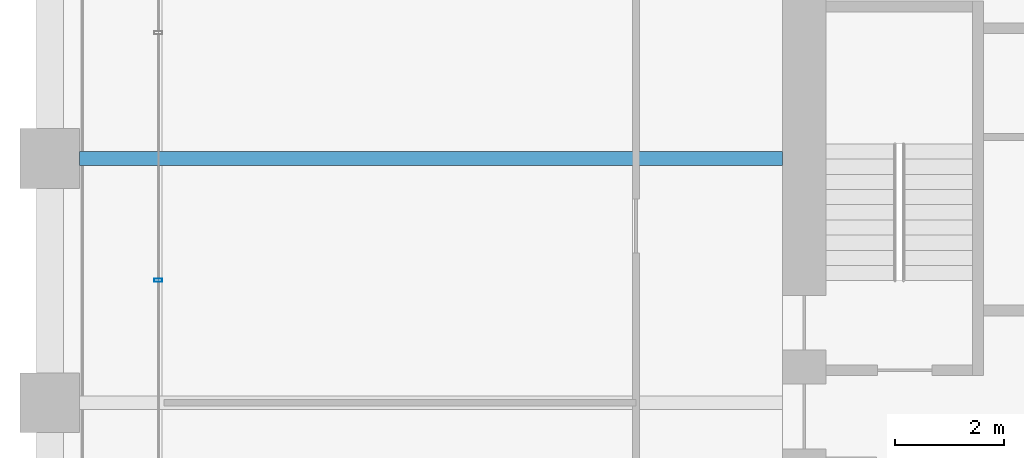
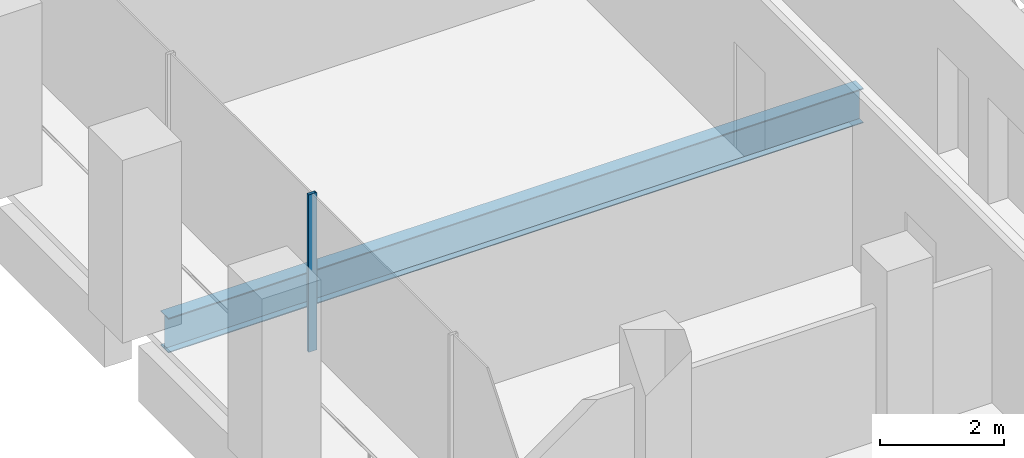
# One storey, part 11 of 56: 1 beam, 1 member, 1 element without a shape of its own.
"""IFC4 building model written with IfcOpenShell, lengths in metres."""

from ifc_helpers import new_model, si_unit, direction, frame, origin, origin_2d, place, context, subcontext, project, spatial, hollow_rectangle, i_section, extrude, material, material_profile, profile_set, type_object, element, aggregate, save


model = new_model("IFC4")

# Units and contexts
model_context = context("Model", 3, precision=1e-05, world=origin(), true_north=direction((0.0, 1.0)))
body_context = subcontext(model_context, "Body", "Model", "MODEL_VIEW")
ifc_project = project(units=[si_unit("LENGTHUNIT", "METRE"), si_unit("AREAUNIT", "SQUARE_METRE"), si_unit("VOLUMEUNIT", "CUBIC_METRE"), si_unit("PLANEANGLEUNIT", "RADIAN"), si_unit("MASSUNIT", "GRAM", prefix="KILO")], contexts=[model_context])

# Site, building, storey
site_placement = place(None, origin())
site = spatial("IfcSite", under=ifc_project, at=site_placement, CompositionType="ELEMENT")
building_placement = place(site_placement, origin())
building = spatial("IfcBuilding", under=site, at=building_placement, Name="Altepetl Exchange Towers", CompositionType="ELEMENT")
storey_placement = place(building_placement, frame((0.0, 0.0, 51.0)))
storey = spatial("IfcBuildingStorey", under=building, at=storey_placement, Name="L11", CompositionType="ELEMENT", Elevation=51.0)

# Beam
ifc_material_1 = material(Name="Steel S355", Category="steel")
ifc_material_profile_1 = material_profile(ifc_material_1, i_section(OverallWidth=0.25390625, OverallDepth=0.68408203125, WebThickness=0.012451171875, FlangeThickness=0.018798828125, at=origin_2d()), Name="W27X94")
ifc_profile_set_1 = profile_set([ifc_material_profile_1], Name="Steel S355")
beam_type = type_object("IfcBeamType", Name="Floor beam W27X94", PredefinedType="BEAM", material=ifc_profile_set_1)
beam_placement = place(storey_placement, frame((27.550048828125, 49.5, -0.491943359375), z_axis=(1.0, 0.0, 0.0), x_axis=(0.0, 1.0, 0.0)))
element("IfcBeam", 1, at=beam_placement, inside=storey, type_object=beam_type, Name="bm:A:L11:019", PredefinedType="BEAM", context=body_context, shape_type="SweptSolid", body=[
    extrude(i_section(OverallWidth=0.25390625, OverallDepth=0.68408203125, WebThickness=0.012451171875, FlangeThickness=0.018798828125, at=origin_2d()), origin(), (0.0, 0.0, 1.0), 12.949951171875),
])

# Curtain wall, member
ifc_material_2 = material(Name="Aluminium 6063-T6 glazing", Category="aluminium")
curtain_wall_type = type_object("IfcCurtainWallType", Name="Loggia glazing system", PredefinedType="NOTDEFINED", material=ifc_material_2)
curtain_wall_placement = place(storey_placement, origin())
curtain_wall = element("IfcCurtainWall", 2, at=curtain_wall_placement, inside=storey, type_object=curtain_wall_type, Name="CW1 run", PredefinedType="NOTDEFINED")
ifc_material_3 = material(Name="Aluminium 6063-T6", Category="aluminium")
ifc_material_profile_2 = material_profile(ifc_material_3, hollow_rectangle(XDim=0.06005859375, YDim=0.14990234375, WallThickness=0.0029296875, at=origin_2d()), Name="Mullion 60x150 aluminium")
ifc_profile_set_2 = profile_set([ifc_material_profile_2], Name="Aluminium 6063-T6")
member_type = type_object("IfcMemberType", Name="Mullion 60x150 aluminium", PredefinedType="MULLION", material=ifc_profile_set_2)
member_placement = place(storey_placement, frame((29.0, 47.257080078125, 0.0), z_axis=(0.0, 0.0, 1.0), x_axis=(0.0, -1.0, 0.0)))
member = element("IfcMember", 3, at=member_placement, type_object=member_type, Name="MU1 mullion", PredefinedType="MULLION", context=body_context, shape_type="SweptSolid", body=[
    extrude(hollow_rectangle(XDim=0.06005859375, YDim=0.14990234375, WallThickness=0.0029296875, at=origin_2d()), origin(), (0.0, 0.0, 1.0), 3.10009765625),
])
aggregate(curtain_wall, [member])

save(model, "model.ifc")
